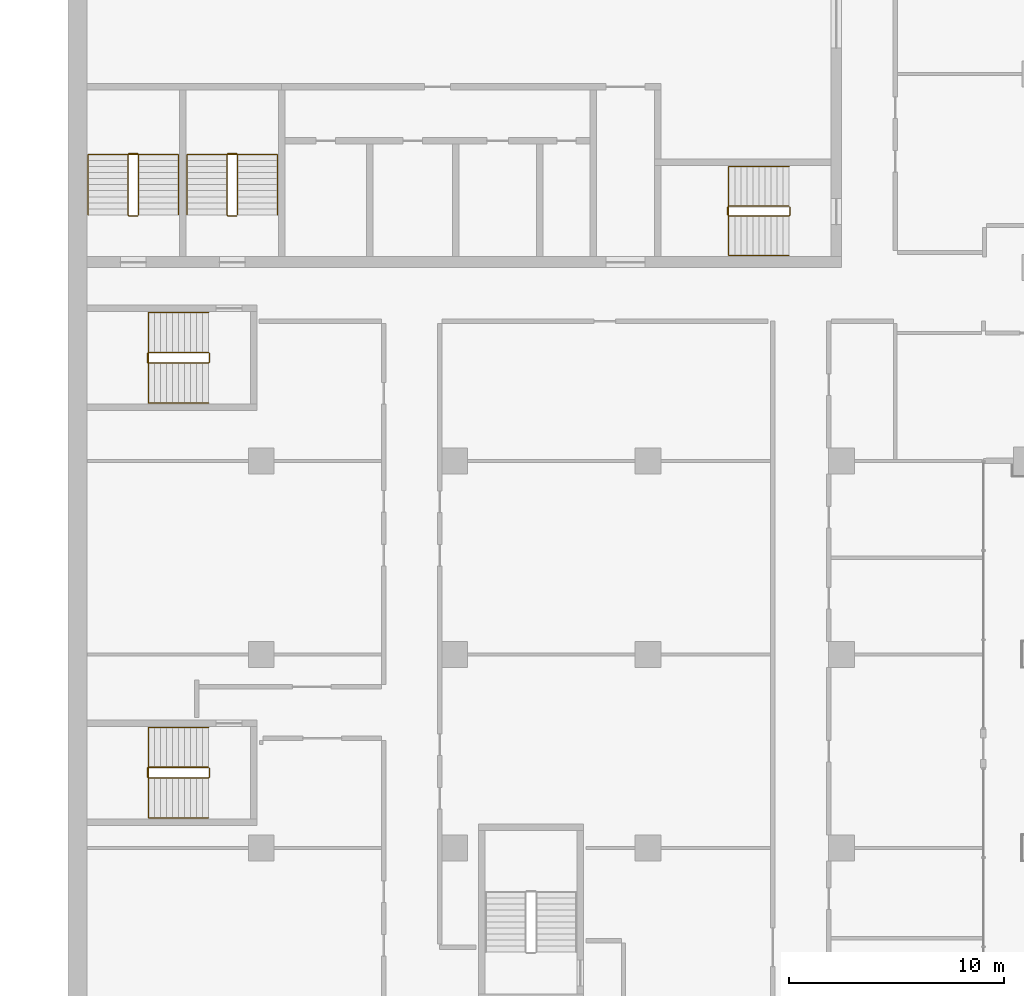
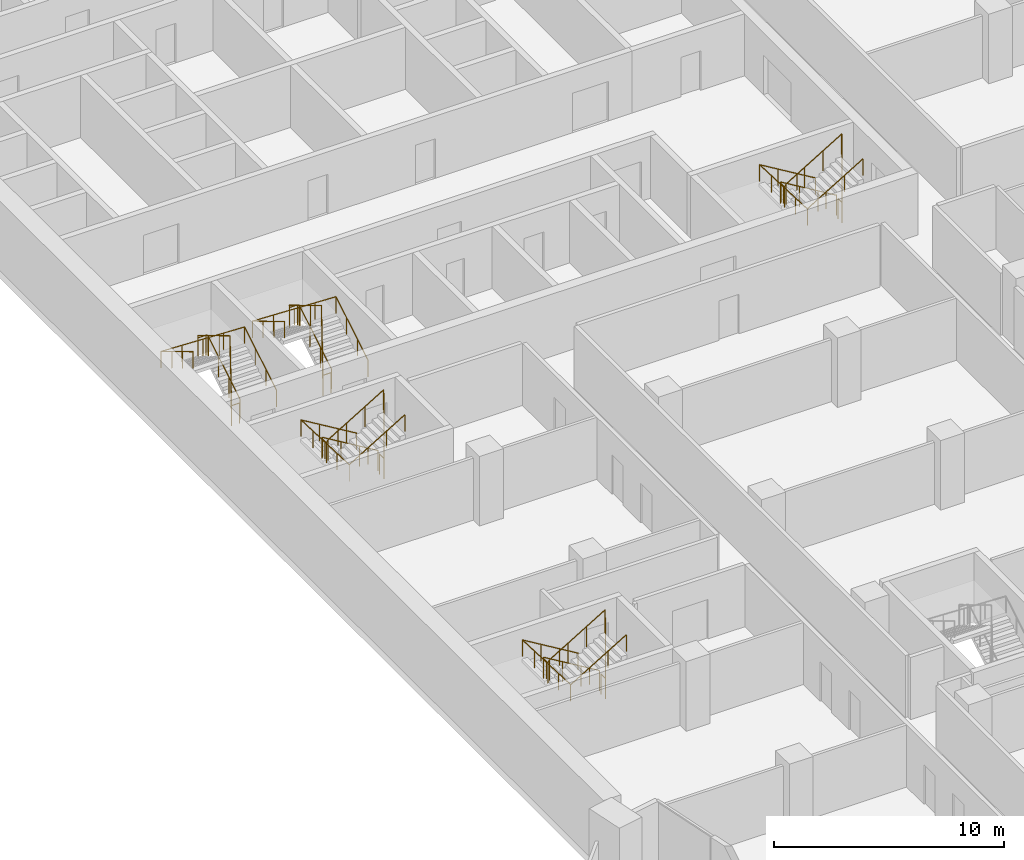
# One storey, part 20 of 22: 10 railings.
"""IFC4 building model written with IfcOpenShell, lengths in metres."""

from ifc_helpers import new_model, si_unit, direction, frame, origin, origin_2d, place, context, subcontext, project, spatial, circle, extrude, material, type_object, element, save


model = new_model("IFC4")

# Units and contexts
model_context = context("Model", 3, precision=1e-05, world=origin(), true_north=direction((0.0, 1.0)))
body_context = subcontext(model_context, "Body", "Model", "MODEL_VIEW")
ifc_project = project(units=[si_unit("LENGTHUNIT", "METRE"), si_unit("AREAUNIT", "SQUARE_METRE"), si_unit("VOLUMEUNIT", "CUBIC_METRE"), si_unit("PLANEANGLEUNIT", "RADIAN"), si_unit("MASSUNIT", "GRAM", prefix="KILO")], contexts=[model_context])

# Site, building, storey
site_placement = place(None, origin())
site = spatial("IfcSite", under=ifc_project, at=site_placement, CompositionType="ELEMENT")
building_placement = place(site_placement, origin())
building = spatial("IfcBuilding", under=site, at=building_placement, Name="Hunhe Ridgeline Campus", CompositionType="ELEMENT")
storey_placement = place(building_placement, frame((0.0, 0.0, 141.199951171875)))
storey = spatial("IfcBuildingStorey", under=building, at=storey_placement, Name="L35", CompositionType="ELEMENT", Elevation=141.199951171875)

# Railings
ifc_material_1 = material(Name="Stainless steel balustrade", Category="steel")
railing_type_1 = type_object("IfcRailingType", Name="Stair guard 1100 stainless", PredefinedType="GUARDRAIL", material=ifc_material_1)
railing_1_placement = place(storey_placement, frame((33.550048828125, 65.85009765625, 0.168212890625)))
element("IfcRailing", 1, at=railing_1_placement, inside=storey, type_object=railing_type_1, Name="L35 stair S2 guard", PredefinedType="GUARDRAIL", context=body_context, shape_type="SweptSolid", body=[
    extrude(circle(Radius=0.02392578125, at=origin_2d()), frame((0.0, 0.0, 1.076171875), z_axis=(-0.857242210791, 0.0, 0.514913383045), x_axis=(0.0, -1.0, 0.0)), (0.0, 0.0, 1.0), 3.266357421875),
    extrude(circle(Radius=0.02392578125, at=origin_2d()), frame((-2.800048828125, 0.0, 2.7578125), z_axis=(-0.707106781187, -0.707106781187, 0.0), x_axis=(0.707106781187, -0.707106781187, 0.0)), (0.0, 0.0, 1.0), 0.07080078125),
    extrude(circle(Radius=0.02392578125, at=origin_2d()), frame((-2.85009765625, -0.050048828125, 2.7578125), z_axis=(0.0, -1.0, 0.0), x_axis=(1.0, 0.0, 0.0)), (0.0, 0.0, 1.0), 0.35009765625),
    extrude(circle(Radius=0.02392578125, at=origin_2d()), frame((-2.85009765625, -0.400146484375, 2.7578125), z_axis=(0.274243871929, -0.274243871929, 0.92172696468), x_axis=(0.707106781187, 0.707106781187, 0.0)), (0.0, 0.0, 1.0), 0.1826171875),
    extrude(circle(Radius=0.02392578125, at=origin_2d()), frame((-2.800048828125, -0.4501953125, 2.92626953125), z_axis=(0.857275202839, 0.0, 0.514858452973), x_axis=(0.0, 1.0, 0.0)), (0.0, 0.0, 1.0), 3.26611328125),
    extrude(circle(Radius=0.02392578125, at=origin_2d()), frame((0.0, -0.4501953125, 4.60791015625), z_axis=(0.013524414389, 0.013524414389, -0.999817073484), x_axis=(-0.707106781187, 0.707106781187, 0.0)), (0.0, 0.0, 1.0), 3.70068359375),
    extrude(circle(Radius=0.02392578125, at=origin_2d()), frame((0.050048828125, -0.400146484375, 0.90771484375), z_axis=(0.0, 1.0, 0.0), x_axis=(-1.0, 0.0, 0.0)), (0.0, 0.0, 1.0), 0.35009765625),
    extrude(circle(Radius=0.02099609375, at=origin_2d()), origin(), (0.0, 0.0, 1.0), 1.052001953125),
    extrude(circle(Radius=0.02099609375, at=origin_2d()), frame((-0.933349609375, 0.0, 0.560546875)), (0.0, 0.0, 1.0), 1.052001953125),
    extrude(circle(Radius=0.02099609375, at=origin_2d()), frame((-1.86669921875, 0.0, 1.121337890625)), (0.0, 0.0, 1.0), 1.052001953125),
    extrude(circle(Radius=0.02099609375, at=origin_2d()), frame((-2.800048828125, 0.0, 1.681884765625)), (0.0, 0.0, 1.0), 1.052001953125),
    extrude(circle(Radius=0.02099609375, at=origin_2d()), frame((-2.85009765625, -0.050048828125, 1.681884765625)), (0.0, 0.0, 1.0), 1.052001953125),
    extrude(circle(Radius=0.02099609375, at=origin_2d()), frame((-2.85009765625, -0.400146484375, 1.681884765625)), (0.0, 0.0, 1.0), 1.052001953125),
    extrude(circle(Radius=0.02099609375, at=origin_2d()), frame((-2.800048828125, -0.4501953125, 1.85009765625)), (0.0, 0.0, 1.0), 1.052001953125),
    extrude(circle(Radius=0.02099609375, at=origin_2d()), frame((-1.86669921875, -0.4501953125, 2.41064453125)), (0.0, 0.0, 1.0), 1.052001953125),
    extrude(circle(Radius=0.02099609375, at=origin_2d()), frame((-0.933349609375, -0.4501953125, 2.97119140625)), (0.0, 0.0, 1.0), 1.052001953125),
    extrude(circle(Radius=0.02099609375, at=origin_2d()), frame((0.0, -0.4501953125, 3.53173828125)), (0.0, 0.0, 1.0), 1.052001953125),
    extrude(circle(Radius=0.02099609375, at=origin_2d()), frame((0.012451171875, -0.437744140625, 2.606689453125)), (0.0, 0.0, 1.0), 1.052001953125),
    extrude(circle(Radius=0.02099609375, at=origin_2d()), frame((0.02490234375, -0.42529296875, 1.681640625)), (0.0, 0.0, 1.0), 1.052001953125),
    extrude(circle(Radius=0.02099609375, at=origin_2d()), frame((0.03759765625, -0.41259765625, 0.7568359375)), (0.0, 0.0, 1.0), 1.052001953125),
    extrude(circle(Radius=0.02099609375, at=origin_2d()), frame((0.050048828125, -0.400146484375, -0.168212890625)), (0.0, 0.0, 1.0), 1.052001953125),
    extrude(circle(Radius=0.02099609375, at=origin_2d()), frame((0.050048828125, -0.050048828125, -0.168212890625)), (0.0, 0.0, 1.0), 1.052001953125),
])
railing_2_placement = place(storey_placement, frame((3.300048828125, 65.449951171875, 0.168212890625)))
element("IfcRailing", 2, at=railing_2_placement, inside=storey, type_object=railing_type_1, Name="L35 stair S3 guard", PredefinedType="GUARDRAIL", context=body_context, shape_type="SweptSolid", body=[
    extrude(circle(Radius=0.02392578125, at=origin_2d()), frame((0.0, 0.0, 1.076171875), z_axis=(0.0, 0.857242210791, 0.514913383045), x_axis=(-1.0, 0.0, 0.0)), (0.0, 0.0, 1.0), 3.266357421875),
    extrude(circle(Radius=0.02392578125, at=origin_2d()), frame((0.0, 2.800048828125, 2.7578125), z_axis=(-0.707106781187, 0.707106781187, 0.0), x_axis=(-0.707106781187, -0.707106781187, 0.0)), (0.0, 0.0, 1.0), 0.07080078125),
    extrude(circle(Radius=0.02392578125, at=origin_2d()), frame((-0.050048828125, 2.85009765625, 2.7578125), z_axis=(-1.0, 0.0, 0.0), x_axis=(0.0, -1.0, 0.0)), (0.0, 0.0, 1.0), 0.39990234375),
    extrude(circle(Radius=0.02392578125, at=origin_2d()), frame((-0.449951171875, 2.85009765625, 2.7578125), z_axis=(-0.274243871929, -0.274243871929, 0.92172696468), x_axis=(0.707106781187, -0.707106781187, 0.0)), (0.0, 0.0, 1.0), 0.1826171875),
    extrude(circle(Radius=0.02392578125, at=origin_2d()), frame((-0.5, 2.800048828125, 2.92626953125), z_axis=(0.0, -0.857275202839, 0.514858452973), x_axis=(1.0, 0.0, 0.0)), (0.0, 0.0, 1.0), 3.26611328125),
    extrude(circle(Radius=0.02392578125, at=origin_2d()), frame((-0.5, 0.0, 4.60791015625), z_axis=(0.013524414389, -0.013524414389, -0.999817073484), x_axis=(0.707106781187, 0.707106781187, 0.0)), (0.0, 0.0, 1.0), 3.70068359375),
    extrude(circle(Radius=0.02392578125, at=origin_2d()), frame((-0.449951171875, -0.050048828125, 0.90771484375), z_axis=(1.0, 0.0, 0.0), x_axis=(0.0, 1.0, 0.0)), (0.0, 0.0, 1.0), 0.39990234375),
    extrude(circle(Radius=0.02099609375, at=origin_2d()), origin(), (0.0, 0.0, 1.0), 1.052001953125),
    extrude(circle(Radius=0.02099609375, at=origin_2d()), frame((0.0, 0.933349609375, 0.560546875)), (0.0, 0.0, 1.0), 1.052001953125),
    extrude(circle(Radius=0.02099609375, at=origin_2d()), frame((0.0, 1.86669921875, 1.121337890625)), (0.0, 0.0, 1.0), 1.052001953125),
    extrude(circle(Radius=0.02099609375, at=origin_2d()), frame((0.0, 2.800048828125, 1.681884765625)), (0.0, 0.0, 1.0), 1.052001953125),
    extrude(circle(Radius=0.02099609375, at=origin_2d()), frame((-0.050048828125, 2.85009765625, 1.681884765625)), (0.0, 0.0, 1.0), 1.052001953125),
    extrude(circle(Radius=0.02099609375, at=origin_2d()), frame((-0.449951171875, 2.85009765625, 1.681884765625)), (0.0, 0.0, 1.0), 1.052001953125),
    extrude(circle(Radius=0.02099609375, at=origin_2d()), frame((-0.5, 2.800048828125, 1.85009765625)), (0.0, 0.0, 1.0), 1.052001953125),
    extrude(circle(Radius=0.02099609375, at=origin_2d()), frame((-0.5, 1.86669921875, 2.41064453125)), (0.0, 0.0, 1.0), 1.052001953125),
    extrude(circle(Radius=0.02099609375, at=origin_2d()), frame((-0.5, 0.933349609375, 2.97119140625)), (0.0, 0.0, 1.0), 1.052001953125),
    extrude(circle(Radius=0.02099609375, at=origin_2d()), frame((-0.5, 0.0, 3.53173828125)), (0.0, 0.0, 1.0), 1.052001953125),
    extrude(circle(Radius=0.02099609375, at=origin_2d()), frame((-0.487548828125, -0.012451171875, 2.606689453125)), (0.0, 0.0, 1.0), 1.052001953125),
    extrude(circle(Radius=0.02099609375, at=origin_2d()), frame((-0.47509765625, -0.02490234375, 1.681640625)), (0.0, 0.0, 1.0), 1.052001953125),
    extrude(circle(Radius=0.02099609375, at=origin_2d()), frame((-0.46240234375, -0.03759765625, 0.7568359375)), (0.0, 0.0, 1.0), 1.052001953125),
    extrude(circle(Radius=0.02099609375, at=origin_2d()), frame((-0.449951171875, -0.050048828125, -0.168212890625)), (0.0, 0.0, 1.0), 1.052001953125),
    extrude(circle(Radius=0.02099609375, at=origin_2d()), frame((-0.050048828125, -0.050048828125, -0.168212890625)), (0.0, 0.0, 1.0), 1.052001953125),
])
railing_3_placement = place(storey_placement, frame((7.89990234375, 65.449951171875, 0.168212890625)))
element("IfcRailing", 3, at=railing_3_placement, inside=storey, type_object=railing_type_1, Name="L35 stair S4 guard", PredefinedType="GUARDRAIL", context=body_context, shape_type="SweptSolid", body=[
    extrude(circle(Radius=0.02392578125, at=origin_2d()), frame((0.0, 0.0, 1.076171875), z_axis=(0.0, 0.857242210791, 0.514913383045), x_axis=(-1.0, 0.0, 0.0)), (0.0, 0.0, 1.0), 3.266357421875),
    extrude(circle(Radius=0.02392578125, at=origin_2d()), frame((0.0, 2.800048828125, 2.7578125), z_axis=(-0.705375805398, 0.708833529934, 0.0), x_axis=(-0.708833529934, -0.705375805398, 0.0)), (0.0, 0.0, 1.0), 0.070556640625),
    extrude(circle(Radius=0.02392578125, at=origin_2d()), frame((-0.0498046875, 2.85009765625, 2.7578125), z_axis=(-1.0, 0.0, 0.0), x_axis=(0.0, -1.0, 0.0)), (0.0, 0.0, 1.0), 0.400146484375),
    extrude(circle(Radius=0.02392578125, at=origin_2d()), frame((-0.449951171875, 2.85009765625, 2.7578125), z_axis=(-0.274243871929, -0.274243871929, 0.92172696468), x_axis=(0.707106781187, -0.707106781187, 0.0)), (0.0, 0.0, 1.0), 0.1826171875),
    extrude(circle(Radius=0.02392578125, at=origin_2d()), frame((-0.5, 2.800048828125, 2.92626953125), z_axis=(0.0, -0.857275202839, 0.514858452973), x_axis=(1.0, 0.0, 0.0)), (0.0, 0.0, 1.0), 3.26611328125),
    extrude(circle(Radius=0.02392578125, at=origin_2d()), frame((-0.5, 0.0, 4.60791015625), z_axis=(0.013524414389, -0.013524414389, -0.999817073484), x_axis=(0.707106781187, 0.707106781187, 0.0)), (0.0, 0.0, 1.0), 3.70068359375),
    extrude(circle(Radius=0.02392578125, at=origin_2d()), frame((-0.449951171875, -0.050048828125, 0.90771484375), z_axis=(1.0, 0.0, 0.0), x_axis=(0.0, 1.0, 0.0)), (0.0, 0.0, 1.0), 0.400146484375),
    extrude(circle(Radius=0.02099609375, at=origin_2d()), origin(), (0.0, 0.0, 1.0), 1.052001953125),
    extrude(circle(Radius=0.02099609375, at=origin_2d()), frame((0.0, 0.933349609375, 0.560546875)), (0.0, 0.0, 1.0), 1.052001953125),
    extrude(circle(Radius=0.02099609375, at=origin_2d()), frame((0.0, 1.86669921875, 1.121337890625)), (0.0, 0.0, 1.0), 1.052001953125),
    extrude(circle(Radius=0.02099609375, at=origin_2d()), frame((0.0, 2.800048828125, 1.681884765625)), (0.0, 0.0, 1.0), 1.052001953125),
    extrude(circle(Radius=0.02099609375, at=origin_2d()), frame((-0.0498046875, 2.85009765625, 1.681884765625)), (0.0, 0.0, 1.0), 1.052001953125),
    extrude(circle(Radius=0.02099609375, at=origin_2d()), frame((-0.449951171875, 2.85009765625, 1.681884765625)), (0.0, 0.0, 1.0), 1.052001953125),
    extrude(circle(Radius=0.02099609375, at=origin_2d()), frame((-0.5, 2.800048828125, 1.85009765625)), (0.0, 0.0, 1.0), 1.052001953125),
    extrude(circle(Radius=0.02099609375, at=origin_2d()), frame((-0.5, 1.86669921875, 2.41064453125)), (0.0, 0.0, 1.0), 1.052001953125),
    extrude(circle(Radius=0.02099609375, at=origin_2d()), frame((-0.5, 0.933349609375, 2.97119140625)), (0.0, 0.0, 1.0), 1.052001953125),
    extrude(circle(Radius=0.02099609375, at=origin_2d()), frame((-0.5, 0.0, 3.53173828125)), (0.0, 0.0, 1.0), 1.052001953125),
    extrude(circle(Radius=0.02099609375, at=origin_2d()), frame((-0.487548828125, -0.012451171875, 2.606689453125)), (0.0, 0.0, 1.0), 1.052001953125),
    extrude(circle(Radius=0.02099609375, at=origin_2d()), frame((-0.47509765625, -0.02490234375, 1.681640625)), (0.0, 0.0, 1.0), 1.052001953125),
    extrude(circle(Radius=0.02099609375, at=origin_2d()), frame((-0.46240234375, -0.03759765625, 0.7568359375)), (0.0, 0.0, 1.0), 1.052001953125),
    extrude(circle(Radius=0.02099609375, at=origin_2d()), frame((-0.449951171875, -0.050048828125, -0.168212890625)), (0.0, 0.0, 1.0), 1.052001953125),
    extrude(circle(Radius=0.02099609375, at=origin_2d()), frame((-0.0498046875, -0.050048828125, -0.168212890625)), (0.0, 0.0, 1.0), 1.052001953125),
])
railing_4_placement = place(storey_placement, frame((6.550048828125, 39.75, 0.168212890625)))
element("IfcRailing", 4, at=railing_4_placement, inside=storey, type_object=railing_type_1, Name="L35 stair W1 guard", PredefinedType="GUARDRAIL", context=body_context, shape_type="SweptSolid", body=[
    extrude(circle(Radius=0.02392578125, at=origin_2d()), frame((0.0, 0.0, 1.076171875), z_axis=(-0.857242210791, 0.0, 0.514913383045), x_axis=(0.0, -1.0, 0.0)), (0.0, 0.0, 1.0), 3.266357421875),
    extrude(circle(Radius=0.02392578125, at=origin_2d()), frame((-2.800048828125, 0.0, 2.7578125), z_axis=(-0.707106781187, -0.707106781187, 0.0), x_axis=(0.707106781187, -0.707106781187, 0.0)), (0.0, 0.0, 1.0), 0.07080078125),
    extrude(circle(Radius=0.02392578125, at=origin_2d()), frame((-2.85009765625, -0.050048828125, 2.7578125), z_axis=(0.0, -1.0, 0.0), x_axis=(1.0, 0.0, 0.0)), (0.0, 0.0, 1.0), 0.39990234375),
    extrude(circle(Radius=0.02392578125, at=origin_2d()), frame((-2.85009765625, -0.449951171875, 2.7578125), z_axis=(0.274243871929, -0.274243871929, 0.92172696468), x_axis=(0.707106781187, 0.707106781187, 0.0)), (0.0, 0.0, 1.0), 0.1826171875),
    extrude(circle(Radius=0.02392578125, at=origin_2d()), frame((-2.800048828125, -0.5, 2.92626953125), z_axis=(0.857275202839, 0.0, 0.514858452973), x_axis=(0.0, 1.0, 0.0)), (0.0, 0.0, 1.0), 3.26611328125),
    extrude(circle(Radius=0.02392578125, at=origin_2d()), frame((0.0, -0.5, 4.60791015625), z_axis=(0.013524414389, 0.013524414389, -0.999817073484), x_axis=(-0.707106781187, 0.707106781187, 0.0)), (0.0, 0.0, 1.0), 3.70068359375),
    extrude(circle(Radius=0.02392578125, at=origin_2d()), frame((0.050048828125, -0.449951171875, 0.90771484375), z_axis=(0.0, 1.0, 0.0), x_axis=(-1.0, 0.0, 0.0)), (0.0, 0.0, 1.0), 0.39990234375),
    extrude(circle(Radius=0.02099609375, at=origin_2d()), origin(), (0.0, 0.0, 1.0), 1.052001953125),
    extrude(circle(Radius=0.02099609375, at=origin_2d()), frame((-0.933349609375, 0.0, 0.560546875)), (0.0, 0.0, 1.0), 1.052001953125),
    extrude(circle(Radius=0.02099609375, at=origin_2d()), frame((-1.86669921875, 0.0, 1.121337890625)), (0.0, 0.0, 1.0), 1.052001953125),
    extrude(circle(Radius=0.02099609375, at=origin_2d()), frame((-2.800048828125, 0.0, 1.681884765625)), (0.0, 0.0, 1.0), 1.052001953125),
    extrude(circle(Radius=0.02099609375, at=origin_2d()), frame((-2.85009765625, -0.050048828125, 1.681884765625)), (0.0, 0.0, 1.0), 1.052001953125),
    extrude(circle(Radius=0.02099609375, at=origin_2d()), frame((-2.85009765625, -0.449951171875, 1.681884765625)), (0.0, 0.0, 1.0), 1.052001953125),
    extrude(circle(Radius=0.02099609375, at=origin_2d()), frame((-2.800048828125, -0.5, 1.85009765625)), (0.0, 0.0, 1.0), 1.052001953125),
    extrude(circle(Radius=0.02099609375, at=origin_2d()), frame((-1.86669921875, -0.5, 2.41064453125)), (0.0, 0.0, 1.0), 1.052001953125),
    extrude(circle(Radius=0.02099609375, at=origin_2d()), frame((-0.933349609375, -0.5, 2.97119140625)), (0.0, 0.0, 1.0), 1.052001953125),
    extrude(circle(Radius=0.02099609375, at=origin_2d()), frame((0.0, -0.5, 3.53173828125)), (0.0, 0.0, 1.0), 1.052001953125),
    extrude(circle(Radius=0.02099609375, at=origin_2d()), frame((0.012451171875, -0.487548828125, 2.606689453125)), (0.0, 0.0, 1.0), 1.052001953125),
    extrude(circle(Radius=0.02099609375, at=origin_2d()), frame((0.02490234375, -0.47509765625, 1.681640625)), (0.0, 0.0, 1.0), 1.052001953125),
    extrude(circle(Radius=0.02099609375, at=origin_2d()), frame((0.03759765625, -0.46240234375, 0.7568359375)), (0.0, 0.0, 1.0), 1.052001953125),
    extrude(circle(Radius=0.02099609375, at=origin_2d()), frame((0.050048828125, -0.449951171875, -0.168212890625)), (0.0, 0.0, 1.0), 1.052001953125),
    extrude(circle(Radius=0.02099609375, at=origin_2d()), frame((0.050048828125, -0.050048828125, -0.168212890625)), (0.0, 0.0, 1.0), 1.052001953125),
])
railing_5_placement = place(storey_placement, frame((6.550048828125, 59.050048828125, 0.168212890625)))
element("IfcRailing", 5, at=railing_5_placement, inside=storey, type_object=railing_type_1, Name="L35 stair W2 guard", PredefinedType="GUARDRAIL", context=body_context, shape_type="SweptSolid", body=[
    extrude(circle(Radius=0.02392578125, at=origin_2d()), frame((0.0, 0.0, 1.076171875), z_axis=(-0.857242210791, 0.0, 0.514913383045), x_axis=(0.0, -1.0, 0.0)), (0.0, 0.0, 1.0), 3.266357421875),
    extrude(circle(Radius=0.02392578125, at=origin_2d()), frame((-2.800048828125, 0.0, 2.7578125), z_axis=(-0.707106781187, -0.707106781187, 0.0), x_axis=(0.707106781187, -0.707106781187, 0.0)), (0.0, 0.0, 1.0), 0.07080078125),
    extrude(circle(Radius=0.02392578125, at=origin_2d()), frame((-2.85009765625, -0.050048828125, 2.7578125), z_axis=(0.0, -1.0, 0.0), x_axis=(1.0, 0.0, 0.0)), (0.0, 0.0, 1.0), 0.39990234375),
    extrude(circle(Radius=0.02392578125, at=origin_2d()), frame((-2.85009765625, -0.449951171875, 2.7578125), z_axis=(0.274243871929, -0.274243871929, 0.92172696468), x_axis=(0.707106781187, 0.707106781187, 0.0)), (0.0, 0.0, 1.0), 0.1826171875),
    extrude(circle(Radius=0.02392578125, at=origin_2d()), frame((-2.800048828125, -0.5, 2.92626953125), z_axis=(0.857275202839, 0.0, 0.514858452973), x_axis=(0.0, 1.0, 0.0)), (0.0, 0.0, 1.0), 3.26611328125),
    extrude(circle(Radius=0.02392578125, at=origin_2d()), frame((0.0, -0.5, 4.60791015625), z_axis=(0.013524414389, 0.013524414389, -0.999817073484), x_axis=(-0.707106781187, 0.707106781187, 0.0)), (0.0, 0.0, 1.0), 3.70068359375),
    extrude(circle(Radius=0.02392578125, at=origin_2d()), frame((0.050048828125, -0.449951171875, 0.90771484375), z_axis=(0.0, 1.0, 0.0), x_axis=(-1.0, 0.0, 0.0)), (0.0, 0.0, 1.0), 0.39990234375),
    extrude(circle(Radius=0.02099609375, at=origin_2d()), origin(), (0.0, 0.0, 1.0), 1.052001953125),
    extrude(circle(Radius=0.02099609375, at=origin_2d()), frame((-0.933349609375, 0.0, 0.560546875)), (0.0, 0.0, 1.0), 1.052001953125),
    extrude(circle(Radius=0.02099609375, at=origin_2d()), frame((-1.86669921875, 0.0, 1.121337890625)), (0.0, 0.0, 1.0), 1.052001953125),
    extrude(circle(Radius=0.02099609375, at=origin_2d()), frame((-2.800048828125, 0.0, 1.681884765625)), (0.0, 0.0, 1.0), 1.052001953125),
    extrude(circle(Radius=0.02099609375, at=origin_2d()), frame((-2.85009765625, -0.050048828125, 1.681884765625)), (0.0, 0.0, 1.0), 1.052001953125),
    extrude(circle(Radius=0.02099609375, at=origin_2d()), frame((-2.85009765625, -0.449951171875, 1.681884765625)), (0.0, 0.0, 1.0), 1.052001953125),
    extrude(circle(Radius=0.02099609375, at=origin_2d()), frame((-2.800048828125, -0.5, 1.85009765625)), (0.0, 0.0, 1.0), 1.052001953125),
    extrude(circle(Radius=0.02099609375, at=origin_2d()), frame((-1.86669921875, -0.5, 2.41064453125)), (0.0, 0.0, 1.0), 1.052001953125),
    extrude(circle(Radius=0.02099609375, at=origin_2d()), frame((-0.933349609375, -0.5, 2.97119140625)), (0.0, 0.0, 1.0), 1.052001953125),
    extrude(circle(Radius=0.02099609375, at=origin_2d()), frame((0.0, -0.5, 3.53173828125)), (0.0, 0.0, 1.0), 1.052001953125),
    extrude(circle(Radius=0.02099609375, at=origin_2d()), frame((0.012451171875, -0.487548828125, 2.606689453125)), (0.0, 0.0, 1.0), 1.052001953125),
    extrude(circle(Radius=0.02099609375, at=origin_2d()), frame((0.02490234375, -0.47509765625, 1.681640625)), (0.0, 0.0, 1.0), 1.052001953125),
    extrude(circle(Radius=0.02099609375, at=origin_2d()), frame((0.03759765625, -0.46240234375, 0.7568359375)), (0.0, 0.0, 1.0), 1.052001953125),
    extrude(circle(Radius=0.02099609375, at=origin_2d()), frame((0.050048828125, -0.449951171875, -0.168212890625)), (0.0, 0.0, 1.0), 1.052001953125),
    extrude(circle(Radius=0.02099609375, at=origin_2d()), frame((0.050048828125, -0.050048828125, -0.168212890625)), (0.0, 0.0, 1.0), 1.052001953125),
])
ifc_material_2 = material(Name="Stainless steel handrail", Category="steel")
railing_type_2 = type_object("IfcRailingType", Name="Stair handrail 900 stainless", PredefinedType="HANDRAIL", material=ifc_material_2)
railing_6_placement = place(storey_placement, frame((33.550048828125, 67.699951171875, 0.168212890625)))
element("IfcRailing", 6, at=railing_6_placement, inside=storey, type_object=railing_type_2, Name="L35 stair S2 handrail", PredefinedType="HANDRAIL", context=body_context, shape_type="SweptSolid", body=[
    extrude(circle(Radius=0.02392578125, at=origin_2d()), frame((0.0, 0.0, 0.8759765625), z_axis=(-0.857242210791, 0.0, 0.514913383045), x_axis=(0.0, -1.0, 0.0)), (0.0, 0.0, 1.0), 3.266357421875),
    extrude(circle(Radius=0.02392578125, at=origin_2d()), frame((-2.800048828125, 0.0, 2.5576171875), z_axis=(0.0, -0.99917950104, 0.040500922239), x_axis=(1.0, 0.0, 0.0)), (0.0, 0.0, 1.0), 4.1533203125),
    extrude(circle(Radius=0.02392578125, at=origin_2d()), frame((-2.800048828125, -4.14990234375, 2.72607421875), z_axis=(0.857275202839, 0.0, 0.514858452973), x_axis=(0.0, 1.0, 0.0)), (0.0, 0.0, 1.0), 3.26611328125),
    extrude(circle(Radius=0.02099609375, at=origin_2d()), origin(), (0.0, 0.0, 1.0), 0.851806640625),
    extrude(circle(Radius=0.02099609375, at=origin_2d()), frame((-0.933349609375, 0.0, 0.560546875)), (0.0, 0.0, 1.0), 0.851806640625),
    extrude(circle(Radius=0.02099609375, at=origin_2d()), frame((-1.86669921875, 0.0, 1.121337890625)), (0.0, 0.0, 1.0), 0.851806640625),
    extrude(circle(Radius=0.02099609375, at=origin_2d()), frame((-2.800048828125, 0.0, 1.681884765625)), (0.0, 0.0, 1.0), 0.851806640625),
    extrude(circle(Radius=0.02099609375, at=origin_2d()), frame((-2.800048828125, -1.03759765625, 1.723876953125)), (0.0, 0.0, 1.0), 0.851806640625),
    extrude(circle(Radius=0.02099609375, at=origin_2d()), frame((-2.800048828125, -2.074951171875, 1.76611328125)), (0.0, 0.0, 1.0), 0.851806640625),
    extrude(circle(Radius=0.02099609375, at=origin_2d()), frame((-2.800048828125, -3.1123046875, 1.80810546875)), (0.0, 0.0, 1.0), 0.851806640625),
    extrude(circle(Radius=0.02099609375, at=origin_2d()), frame((-2.800048828125, -4.14990234375, 1.85009765625)), (0.0, 0.0, 1.0), 0.851806640625),
    extrude(circle(Radius=0.02099609375, at=origin_2d()), frame((-1.86669921875, -4.14990234375, 2.41064453125)), (0.0, 0.0, 1.0), 0.851806640625),
    extrude(circle(Radius=0.02099609375, at=origin_2d()), frame((-0.933349609375, -4.14990234375, 2.97119140625)), (0.0, 0.0, 1.0), 0.851806640625),
    extrude(circle(Radius=0.02099609375, at=origin_2d()), frame((0.0, -4.14990234375, 3.53173828125)), (0.0, 0.0, 1.0), 0.851806640625),
])
railing_7_placement = place(storey_placement, frame((5.14990234375, 65.449951171875, 0.168212890625)))
element("IfcRailing", 7, at=railing_7_placement, inside=storey, type_object=railing_type_2, Name="L35 stair S3 handrail", PredefinedType="HANDRAIL", context=body_context, shape_type="SweptSolid", body=[
    extrude(circle(Radius=0.02392578125, at=origin_2d()), frame((0.0, 0.0, 0.8759765625), z_axis=(0.0, 0.857242210791, 0.514913383045), x_axis=(-1.0, 0.0, 0.0)), (0.0, 0.0, 1.0), 3.266357421875),
    extrude(circle(Radius=0.02392578125, at=origin_2d()), frame((0.0, 2.800048828125, 2.5576171875), z_axis=(-0.999198916169, 0.0, 0.040019069537), x_axis=(0.0, -1.0, 0.0)), (0.0, 0.0, 1.0), 4.203369140625),
    extrude(circle(Radius=0.02392578125, at=origin_2d()), frame((-4.199951171875, 2.800048828125, 2.72607421875), z_axis=(0.0, -0.857275202839, 0.514858452973), x_axis=(1.0, 0.0, 0.0)), (0.0, 0.0, 1.0), 3.26611328125),
    extrude(circle(Radius=0.02099609375, at=origin_2d()), origin(), (0.0, 0.0, 1.0), 0.851806640625),
    extrude(circle(Radius=0.02099609375, at=origin_2d()), frame((0.0, 0.933349609375, 0.560546875)), (0.0, 0.0, 1.0), 0.851806640625),
    extrude(circle(Radius=0.02099609375, at=origin_2d()), frame((0.0, 1.86669921875, 1.121337890625)), (0.0, 0.0, 1.0), 0.851806640625),
    extrude(circle(Radius=0.02099609375, at=origin_2d()), frame((0.0, 2.800048828125, 1.681884765625)), (0.0, 0.0, 1.0), 0.851806640625),
    extrude(circle(Radius=0.02099609375, at=origin_2d()), frame((-1.050048828125, 2.800048828125, 1.723876953125)), (0.0, 0.0, 1.0), 0.851806640625),
    extrude(circle(Radius=0.02099609375, at=origin_2d()), frame((-2.10009765625, 2.800048828125, 1.76611328125)), (0.0, 0.0, 1.0), 0.851806640625),
    extrude(circle(Radius=0.02099609375, at=origin_2d()), frame((-3.14990234375, 2.800048828125, 1.80810546875)), (0.0, 0.0, 1.0), 0.851806640625),
    extrude(circle(Radius=0.02099609375, at=origin_2d()), frame((-4.199951171875, 2.800048828125, 1.85009765625)), (0.0, 0.0, 1.0), 0.851806640625),
    extrude(circle(Radius=0.02099609375, at=origin_2d()), frame((-4.199951171875, 1.86669921875, 2.41064453125)), (0.0, 0.0, 1.0), 0.851806640625),
    extrude(circle(Radius=0.02099609375, at=origin_2d()), frame((-4.199951171875, 0.933349609375, 2.97119140625)), (0.0, 0.0, 1.0), 0.851806640625),
    extrude(circle(Radius=0.02099609375, at=origin_2d()), frame((-4.199951171875, 0.0, 3.53173828125)), (0.0, 0.0, 1.0), 0.851806640625),
])
railing_8_placement = place(storey_placement, frame((9.75, 65.449951171875, 0.168212890625)))
element("IfcRailing", 8, at=railing_8_placement, inside=storey, type_object=railing_type_2, Name="L35 stair S4 handrail", PredefinedType="HANDRAIL", context=body_context, shape_type="SweptSolid", body=[
    extrude(circle(Radius=0.02392578125, at=origin_2d()), frame((0.0, 0.0, 0.8759765625), z_axis=(0.0, 0.857242210791, 0.514913383045), x_axis=(-1.0, 0.0, 0.0)), (0.0, 0.0, 1.0), 3.266357421875),
    extrude(circle(Radius=0.02392578125, at=origin_2d()), frame((0.0, 2.800048828125, 2.5576171875), z_axis=(-0.999198916169, 0.0, 0.040019069537), x_axis=(0.0, -1.0, 0.0)), (0.0, 0.0, 1.0), 4.203369140625),
    extrude(circle(Radius=0.02392578125, at=origin_2d()), frame((-4.199951171875, 2.800048828125, 2.72607421875), z_axis=(0.0, -0.857275202839, 0.514858452973), x_axis=(1.0, 0.0, 0.0)), (0.0, 0.0, 1.0), 3.26611328125),
    extrude(circle(Radius=0.02099609375, at=origin_2d()), origin(), (0.0, 0.0, 1.0), 0.851806640625),
    extrude(circle(Radius=0.02099609375, at=origin_2d()), frame((0.0, 0.933349609375, 0.560546875)), (0.0, 0.0, 1.0), 0.851806640625),
    extrude(circle(Radius=0.02099609375, at=origin_2d()), frame((0.0, 1.86669921875, 1.121337890625)), (0.0, 0.0, 1.0), 0.851806640625),
    extrude(circle(Radius=0.02099609375, at=origin_2d()), frame((0.0, 2.800048828125, 1.681884765625)), (0.0, 0.0, 1.0), 0.851806640625),
    extrude(circle(Radius=0.02099609375, at=origin_2d()), frame((-1.050048828125, 2.800048828125, 1.723876953125)), (0.0, 0.0, 1.0), 0.851806640625),
    extrude(circle(Radius=0.02099609375, at=origin_2d()), frame((-2.10009765625, 2.800048828125, 1.76611328125)), (0.0, 0.0, 1.0), 0.851806640625),
    extrude(circle(Radius=0.02099609375, at=origin_2d()), frame((-3.14990234375, 2.800048828125, 1.80810546875)), (0.0, 0.0, 1.0), 0.851806640625),
    extrude(circle(Radius=0.02099609375, at=origin_2d()), frame((-4.199951171875, 2.800048828125, 1.85009765625)), (0.0, 0.0, 1.0), 0.851806640625),
    extrude(circle(Radius=0.02099609375, at=origin_2d()), frame((-4.199951171875, 1.86669921875, 2.41064453125)), (0.0, 0.0, 1.0), 0.851806640625),
    extrude(circle(Radius=0.02099609375, at=origin_2d()), frame((-4.199951171875, 0.933349609375, 2.97119140625)), (0.0, 0.0, 1.0), 0.851806640625),
    extrude(circle(Radius=0.02099609375, at=origin_2d()), frame((-4.199951171875, 0.0, 3.53173828125)), (0.0, 0.0, 1.0), 0.851806640625),
])
railing_9_placement = place(storey_placement, frame((6.550048828125, 41.60009765625, 0.168212890625)))
element("IfcRailing", 9, at=railing_9_placement, inside=storey, type_object=railing_type_2, Name="L35 stair W1 handrail", PredefinedType="HANDRAIL", context=body_context, shape_type="SweptSolid", body=[
    extrude(circle(Radius=0.02392578125, at=origin_2d()), frame((0.0, 0.0, 0.8759765625), z_axis=(-0.857242210791, 0.0, 0.514913383045), x_axis=(0.0, -1.0, 0.0)), (0.0, 0.0, 1.0), 3.266357421875),
    extrude(circle(Radius=0.02392578125, at=origin_2d()), frame((-2.800048828125, 0.0, 2.5576171875), z_axis=(0.0, -0.999199009182, 0.040016747113), x_axis=(1.0, 0.0, 0.0)), (0.0, 0.0, 1.0), 4.20361328125),
    extrude(circle(Radius=0.02392578125, at=origin_2d()), frame((-2.800048828125, -4.2001953125, 2.72607421875), z_axis=(0.857275202839, 0.0, 0.514858452973), x_axis=(0.0, 1.0, 0.0)), (0.0, 0.0, 1.0), 3.26611328125),
    extrude(circle(Radius=0.02099609375, at=origin_2d()), origin(), (0.0, 0.0, 1.0), 0.851806640625),
    extrude(circle(Radius=0.02099609375, at=origin_2d()), frame((-0.933349609375, 0.0, 0.560546875)), (0.0, 0.0, 1.0), 0.851806640625),
    extrude(circle(Radius=0.02099609375, at=origin_2d()), frame((-1.86669921875, 0.0, 1.121337890625)), (0.0, 0.0, 1.0), 0.851806640625),
    extrude(circle(Radius=0.02099609375, at=origin_2d()), frame((-2.800048828125, 0.0, 1.681884765625)), (0.0, 0.0, 1.0), 0.851806640625),
    extrude(circle(Radius=0.02099609375, at=origin_2d()), frame((-2.800048828125, -1.050048828125, 1.723876953125)), (0.0, 0.0, 1.0), 0.851806640625),
    extrude(circle(Radius=0.02099609375, at=origin_2d()), frame((-2.800048828125, -2.10009765625, 1.76611328125)), (0.0, 0.0, 1.0), 0.851806640625),
    extrude(circle(Radius=0.02099609375, at=origin_2d()), frame((-2.800048828125, -3.150146484375, 1.80810546875)), (0.0, 0.0, 1.0), 0.851806640625),
    extrude(circle(Radius=0.02099609375, at=origin_2d()), frame((-2.800048828125, -4.2001953125, 1.85009765625)), (0.0, 0.0, 1.0), 0.851806640625),
    extrude(circle(Radius=0.02099609375, at=origin_2d()), frame((-1.86669921875, -4.2001953125, 2.41064453125)), (0.0, 0.0, 1.0), 0.851806640625),
    extrude(circle(Radius=0.02099609375, at=origin_2d()), frame((-0.933349609375, -4.2001953125, 2.97119140625)), (0.0, 0.0, 1.0), 0.851806640625),
    extrude(circle(Radius=0.02099609375, at=origin_2d()), frame((0.0, -4.2001953125, 3.53173828125)), (0.0, 0.0, 1.0), 0.851806640625),
])
railing_10_placement = place(storey_placement, frame((6.550048828125, 60.89990234375, 0.168212890625)))
element("IfcRailing", 10, at=railing_10_placement, inside=storey, type_object=railing_type_2, Name="L35 stair W2 handrail", PredefinedType="HANDRAIL", context=body_context, shape_type="SweptSolid", body=[
    extrude(circle(Radius=0.02392578125, at=origin_2d()), frame((0.0, 0.0, 0.8759765625), z_axis=(-0.857242210791, 0.0, 0.514913383045), x_axis=(0.0, -1.0, 0.0)), (0.0, 0.0, 1.0), 3.266357421875),
    extrude(circle(Radius=0.02392578125, at=origin_2d()), frame((-2.800048828125, 0.0, 2.5576171875), z_axis=(0.0, -0.999198916169, 0.040019069537), x_axis=(1.0, 0.0, 0.0)), (0.0, 0.0, 1.0), 4.203369140625),
    extrude(circle(Radius=0.02392578125, at=origin_2d()), frame((-2.800048828125, -4.199951171875, 2.72607421875), z_axis=(0.857275202839, 0.0, 0.514858452973), x_axis=(0.0, 1.0, 0.0)), (0.0, 0.0, 1.0), 3.26611328125),
    extrude(circle(Radius=0.02099609375, at=origin_2d()), origin(), (0.0, 0.0, 1.0), 0.851806640625),
    extrude(circle(Radius=0.02099609375, at=origin_2d()), frame((-0.933349609375, 0.0, 0.560546875)), (0.0, 0.0, 1.0), 0.851806640625),
    extrude(circle(Radius=0.02099609375, at=origin_2d()), frame((-1.86669921875, 0.0, 1.121337890625)), (0.0, 0.0, 1.0), 0.851806640625),
    extrude(circle(Radius=0.02099609375, at=origin_2d()), frame((-2.800048828125, 0.0, 1.681884765625)), (0.0, 0.0, 1.0), 0.851806640625),
    extrude(circle(Radius=0.02099609375, at=origin_2d()), frame((-2.800048828125, -1.050048828125, 1.723876953125)), (0.0, 0.0, 1.0), 0.851806640625),
    extrude(circle(Radius=0.02099609375, at=origin_2d()), frame((-2.800048828125, -2.10009765625, 1.76611328125)), (0.0, 0.0, 1.0), 0.851806640625),
    extrude(circle(Radius=0.02099609375, at=origin_2d()), frame((-2.800048828125, -3.14990234375, 1.80810546875)), (0.0, 0.0, 1.0), 0.851806640625),
    extrude(circle(Radius=0.02099609375, at=origin_2d()), frame((-2.800048828125, -4.199951171875, 1.85009765625)), (0.0, 0.0, 1.0), 0.851806640625),
    extrude(circle(Radius=0.02099609375, at=origin_2d()), frame((-1.86669921875, -4.199951171875, 2.41064453125)), (0.0, 0.0, 1.0), 0.851806640625),
    extrude(circle(Radius=0.02099609375, at=origin_2d()), frame((-0.933349609375, -4.199951171875, 2.97119140625)), (0.0, 0.0, 1.0), 0.851806640625),
    extrude(circle(Radius=0.02099609375, at=origin_2d()), frame((0.0, -4.199951171875, 3.53173828125)), (0.0, 0.0, 1.0), 0.851806640625),
])

save(model, "model.ifc")
